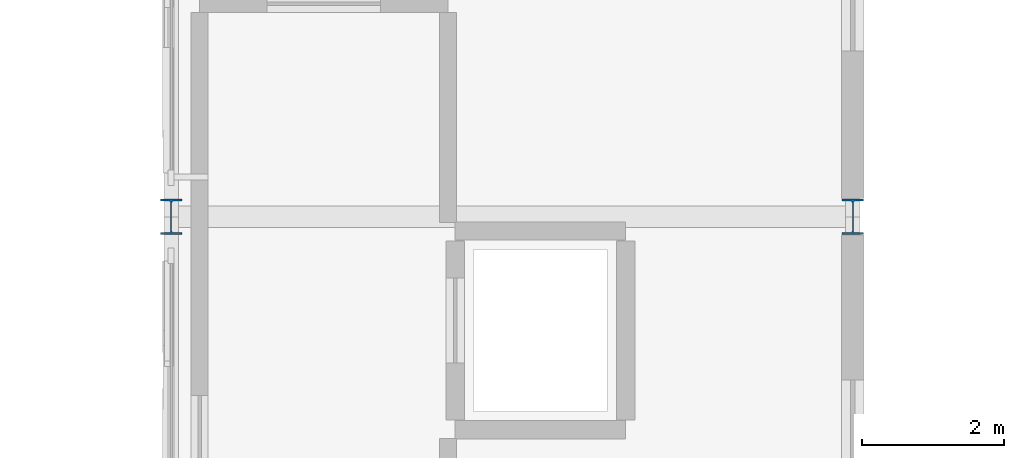
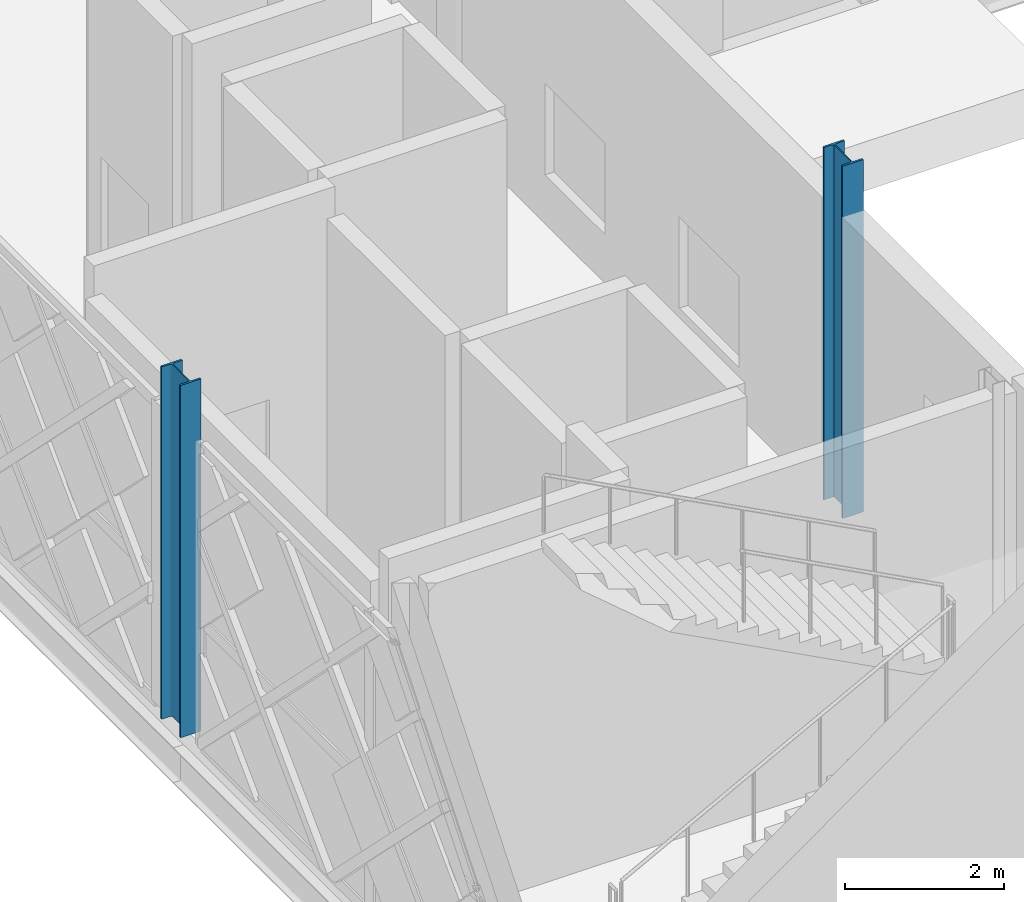
# One storey, part 10 of 84: 2 columns.
"""IFC4 building model written with IfcOpenShell, lengths in metres."""

from ifc_helpers import new_model, si_unit, direction, frame, origin, origin_2d, place, context, subcontext, project, spatial, i_section, extrude, material, material_profile, profile_set, type_object, element, save


model = new_model("IFC4")

# Units and contexts
model_context = context("Model", 3, precision=1e-05, world=origin(), true_north=direction((0.0, 1.0)))
body_context = subcontext(model_context, "Body", "Model", "MODEL_VIEW")
ifc_project = project(units=[si_unit("LENGTHUNIT", "METRE"), si_unit("AREAUNIT", "SQUARE_METRE"), si_unit("VOLUMEUNIT", "CUBIC_METRE"), si_unit("PLANEANGLEUNIT", "RADIAN"), si_unit("MASSUNIT", "GRAM", prefix="KILO")], contexts=[model_context])

# Site, building, storey
site_placement = place(None, origin())
site = spatial("IfcSite", under=ifc_project, at=site_placement, CompositionType="ELEMENT")
building_placement = place(site_placement, origin())
building = spatial("IfcBuilding", under=site, at=building_placement, Name="Zevrakil Square Congress Hotel", CompositionType="ELEMENT")
storey_placement = place(building_placement, origin())
storey = spatial("IfcBuildingStorey", under=building, at=storey_placement, Name="L01", CompositionType="ELEMENT", Elevation=0.0)

# Columns
ifc_material = material(Name="Steel S355", Category="steel")
ifc_material_profile = material_profile(ifc_material, i_section(OverallWidth=0.300048828125, OverallDepth=0.5, WebThickness=0.014404296875, FlangeThickness=0.028076171875, FilletRadius=0.027099609375, at=origin_2d()), Name="HEB 500")
ifc_profile_set = profile_set([ifc_material_profile], Name="Steel S355")
column_type = type_object("IfcColumnType", Name="COL-HEB500", PredefinedType="COLUMN", material=ifc_profile_set)
for number, where, z_axis, x_axis, name in (
    (1, (108.0, 55.199951171875, 0.0), (0.0, 0.0, 1.0), (1.0, 0.0, 0.0), "L01 column C-169"),
    (2, (117.60009765625, 55.199951171875, 0.0), (0.0, 0.0, 1.0), (1.0, 0.0, 0.0), "L01 column C-187"),
):
    element("IfcColumn", number, at=place(storey_placement, frame(where, z_axis=z_axis, x_axis=x_axis)), inside=storey, type_object=column_type, Name=name, PredefinedType="COLUMN", context=body_context, shape_type="SweptSolid", body=[
        extrude(i_section(OverallWidth=0.300048828125, OverallDepth=0.5, WebThickness=0.014404296875, FlangeThickness=0.028076171875, FilletRadius=0.027099609375, at=origin_2d()), origin(), (0.0, 0.0, 1.0), 5.39990234375),
    ])

save(model, "model.ifc")
